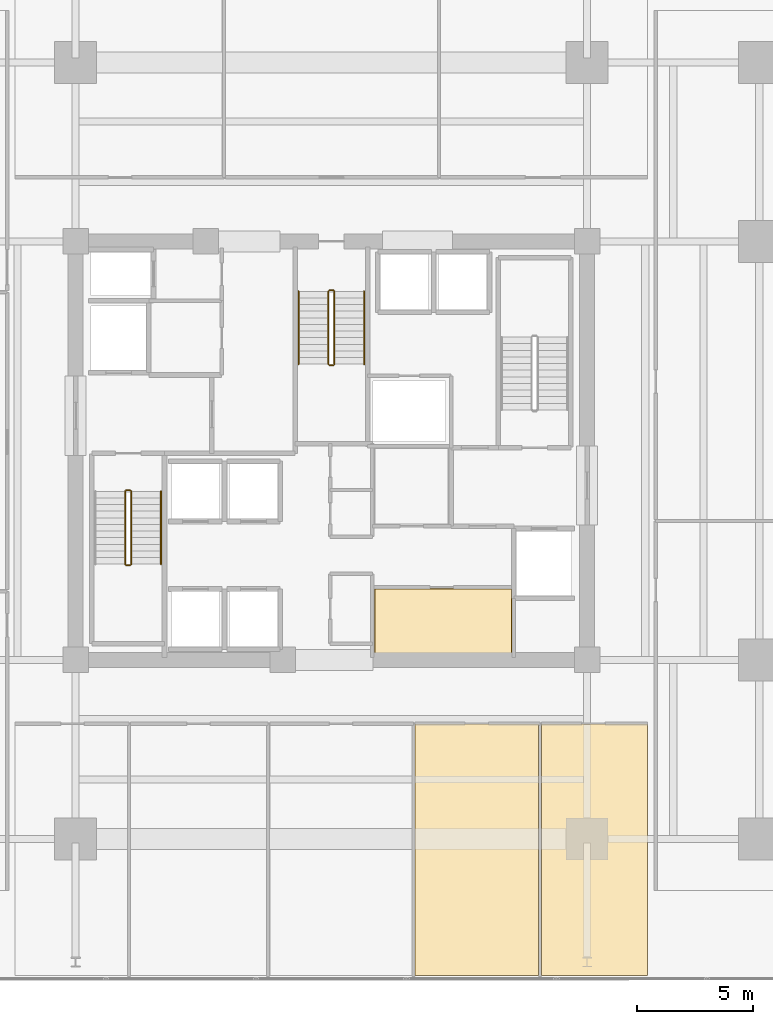
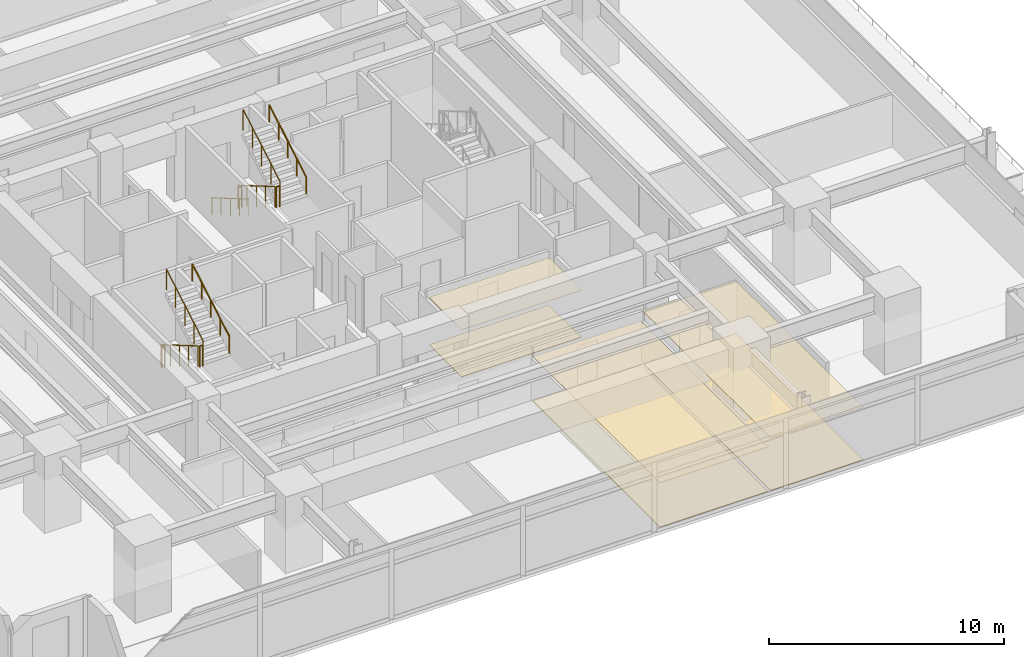
# One storey, part 21 of 23: 11 railings, 6 coverings.
"""IFC4 building model written with IfcOpenShell, lengths in metres."""

from ifc_helpers import new_model, si_unit, direction, frame, origin, origin_2d, place, context, subcontext, project, spatial, polyline, circle, outline, extrude, material, layer, layer_set, type_object, element, save


model = new_model("IFC4")

# Units and contexts
model_context = context("Model", 3, precision=1e-05, world=origin(), true_north=direction((0.0, 1.0)))
body_context = subcontext(model_context, "Body", "Model", "MODEL_VIEW")
ifc_project = project(units=[si_unit("LENGTHUNIT", "METRE"), si_unit("AREAUNIT", "SQUARE_METRE"), si_unit("VOLUMEUNIT", "CUBIC_METRE"), si_unit("PLANEANGLEUNIT", "RADIAN"), si_unit("MASSUNIT", "GRAM", prefix="KILO")], contexts=[model_context])

# Site, building, storey
site_placement = place(None, origin())
site = spatial("IfcSite", under=ifc_project, at=site_placement, CompositionType="ELEMENT")
building_placement = place(site_placement, origin())
building = spatial("IfcBuilding", under=site, at=building_placement, Name="Kovane Verandah Tower", CompositionType="ELEMENT")
storey_placement = place(building_placement, frame((0.0, 0.0, 103.60009765625)))
storey = spatial("IfcBuildingStorey", under=building, at=storey_placement, Name="L24", CompositionType="ELEMENT", Elevation=103.60009765625)

# Coverings
ifc_material_1 = material(Name="Perforated Acoustic Mineral-Fibre Ceiling Tile", Category="gypsum")
ifc_layer_1 = layer(ifc_material_1, 0.02490234375)
ifc_layer_set_1 = layer_set([ifc_layer_1], Name="Perforated Acoustic Mineral-Fibre Ceiling Tile")
covering_type_1 = type_object("IfcCoveringType", Name="CV-CEIL-25", PredefinedType="CEILING", material=ifc_layer_set_1)
covering_1_placement = place(storey_placement, frame((0.0, 0.0, 2.454833984375)))
element("IfcCovering", 1, at=covering_1_placement, inside=storey, type_object=covering_type_1, Name="L24 Records Vault Room Acoustic Ceiling", PredefinedType="CEILING", context=body_context, shape_type="SweptSolid", body=[
    extrude(outline(polyline([(41.864990234375, 18.784912109375), (47.764892578125, 18.784912109375), (47.764892578125, 21.56494140625), (41.864990234375, 21.56494140625), (41.864990234375, 18.784912109375)])), origin(), (0.0, 0.0, 1.0), 0.025146484375),
])
covering_2_placement = place(storey_placement, frame((0.0, 0.0, 2.304931640625)))
element("IfcCovering", 2, at=covering_2_placement, inside=storey, type_object=covering_type_1, Name="L24 Collaboration Hub S4 Acoustic Ceiling", PredefinedType="CEILING", context=body_context, shape_type="SweptSolid", body=[
    extrude(outline(polyline([(43.60595703125, 4.930908203125), (48.906005859375, 4.930908203125), (48.906005859375, 15.75), (43.60595703125, 15.75), (43.60595703125, 4.930908203125)])), origin(), (0.0, 0.0, 1.0), 0.02490234375),
])
covering_3_placement = place(storey_placement, frame((0.0, 0.0, 2.728271484375)))
element("IfcCovering", 3, at=covering_3_placement, inside=storey, type_object=covering_type_1, Name="L24 Document and Print Room S5 Acoustic Ceiling", PredefinedType="CEILING", context=body_context, shape_type="SweptSolid", body=[
    extrude(outline(polyline([(49.0458984375, 4.930908203125), (53.60009765625, 4.930908203125), (53.60009765625, 15.75), (49.0458984375, 15.75), (49.0458984375, 4.930908203125)])), origin(), (0.0, 0.0, 1.0), 0.025146484375),
])
ifc_material_2 = material(Name="Polished Terrazzo and Raised-Access Carpet Tile Finish", Category="concrete")
ifc_layer_2 = layer(ifc_material_2, 0.030029296875)
ifc_layer_set_2 = layer_set([ifc_layer_2], Name="Polished Terrazzo and Raised-Access Carpet Tile Finish")
covering_type_2 = type_object("IfcCoveringType", Name="CV-FLOR-30", PredefinedType="FLOORING", material=ifc_layer_set_2)
covering_4_placement = place(storey_placement, origin())
element("IfcCovering", 4, at=covering_4_placement, inside=storey, type_object=covering_type_2, Name="L24 Records Vault Room Floor Finish", PredefinedType="FLOORING", context=body_context, shape_type="SweptSolid", body=[
    extrude(outline(polyline([(41.8798828125, 18.800048828125), (47.75, 18.800048828125), (47.75, 21.550048828125), (41.8798828125, 21.550048828125), (41.8798828125, 18.800048828125)])), origin(), (0.0, 0.0, 1.0), 0.02978515625),
])
covering_5_placement = place(storey_placement, origin())
element("IfcCovering", 5, at=covering_5_placement, inside=storey, type_object=covering_type_2, Name="L24 Collaboration Hub S4 Floor Finish", PredefinedType="FLOORING", context=body_context, shape_type="SweptSolid", body=[
    extrude(outline(polyline([(43.60595703125, 4.930908203125), (48.906005859375, 4.930908203125), (48.906005859375, 15.75), (43.60595703125, 15.75), (43.60595703125, 4.930908203125)])), origin(), (0.0, 0.0, 1.0), 0.02978515625),
])
covering_6_placement = place(storey_placement, origin())
element("IfcCovering", 6, at=covering_6_placement, inside=storey, type_object=covering_type_2, Name="L24 Document and Print Room S5 Floor Finish", PredefinedType="FLOORING", context=body_context, shape_type="SweptSolid", body=[
    extrude(outline(polyline([(49.0458984375, 4.930908203125), (53.60009765625, 4.930908203125), (53.60009765625, 15.75), (49.0458984375, 15.75), (49.0458984375, 4.930908203125)])), origin(), (0.0, 0.0, 1.0), 0.02978515625),
])

# Railings
ifc_material_3 = material(Name="Brushed Stainless Steel Handrail", Category="steel")
railing_type_1 = type_object("IfcRailingType", Name="RL-HAND-920", PredefinedType="HANDRAIL", material=ifc_material_3)
railing_1_placement = place(storey_placement, frame((32.669921875, 22.614990234375, 2.16650390625)))
element("IfcRailing", 7, at=railing_1_placement, inside=storey, type_object=railing_type_1, Name="L24 ST-01 stair handrail 2", PredefinedType="HANDRAIL", context=body_context, shape_type="SweptSolid", body=[
    extrude(circle(Radius=0.02392578125, at=origin_2d()), frame((0.0, 0.0, 0.8759765625), z_axis=(0.0, 0.863210265497, 0.504844567704), x_axis=(-1.0, 0.0, 0.0)), (0.0, 0.0, 1.0), 3.6318359375),
    extrude(circle(Radius=0.02099609375, at=origin_2d()), origin(), (0.0, 0.0, 1.0), 0.851806640625),
    extrude(circle(Radius=0.02099609375, at=origin_2d()), frame((0.0, 0.78369140625, 0.45849609375)), (0.0, 0.0, 1.0), 0.851806640625),
    extrude(circle(Radius=0.02099609375, at=origin_2d()), frame((0.0, 1.5673828125, 0.916748046875)), (0.0, 0.0, 1.0), 0.851806640625),
    extrude(circle(Radius=0.02099609375, at=origin_2d()), frame((0.0, 2.351318359375, 1.375)), (0.0, 0.0, 1.0), 0.851806640625),
    extrude(circle(Radius=0.02099609375, at=origin_2d()), frame((0.0, 3.135009765625, 1.83349609375)), (0.0, 0.0, 1.0), 0.851806640625),
])
railing_2_placement = place(storey_placement, frame((38.590087890625, 34.35009765625, 0.16650390625)))
element("IfcRailing", 8, at=railing_2_placement, inside=storey, type_object=railing_type_1, Name="L24 ST-03 stair handrail 1", PredefinedType="HANDRAIL", context=body_context, shape_type="SweptSolid", body=[
    extrude(circle(Radius=0.02392578125, at=origin_2d()), frame((0.0, 0.0, 0.8759765625), z_axis=(0.0, -0.863210265497, 0.504844567704), x_axis=(1.0, 0.0, 0.0)), (0.0, 0.0, 1.0), 3.6318359375),
    extrude(circle(Radius=0.02099609375, at=origin_2d()), origin(), (0.0, 0.0, 1.0), 0.851806640625),
    extrude(circle(Radius=0.02099609375, at=origin_2d()), frame((0.0, -0.78369140625, 0.45849609375)), (0.0, 0.0, 1.0), 0.851806640625),
    extrude(circle(Radius=0.02099609375, at=origin_2d()), frame((0.0, -1.5673828125, 0.916748046875)), (0.0, 0.0, 1.0), 0.851806640625),
    extrude(circle(Radius=0.02099609375, at=origin_2d()), frame((0.0, -2.351318359375, 1.375)), (0.0, 0.0, 1.0), 0.851806640625),
    extrude(circle(Radius=0.02099609375, at=origin_2d()), frame((0.0, -3.135009765625, 1.83349609375)), (0.0, 0.0, 1.0), 0.851806640625),
])
railing_3_placement = place(storey_placement, frame((41.409912109375, 31.215087890625, 2.16650390625)))
element("IfcRailing", 9, at=railing_3_placement, inside=storey, type_object=railing_type_1, Name="L24 ST-03 stair handrail 2", PredefinedType="HANDRAIL", context=body_context, shape_type="SweptSolid", body=[
    extrude(circle(Radius=0.02392578125, at=origin_2d()), frame((0.0, 0.0, 0.8759765625), z_axis=(0.0, 0.863210265497, 0.504844567704), x_axis=(-1.0, 0.0, 0.0)), (0.0, 0.0, 1.0), 3.6318359375),
    extrude(circle(Radius=0.02099609375, at=origin_2d()), origin(), (0.0, 0.0, 1.0), 0.851806640625),
    extrude(circle(Radius=0.02099609375, at=origin_2d()), frame((0.0, 0.78369140625, 0.45849609375)), (0.0, 0.0, 1.0), 0.851806640625),
    extrude(circle(Radius=0.02099609375, at=origin_2d()), frame((0.0, 1.5673828125, 0.916748046875)), (0.0, 0.0, 1.0), 0.851806640625),
    extrude(circle(Radius=0.02099609375, at=origin_2d()), frame((0.0, 2.351318359375, 1.375)), (0.0, 0.0, 1.0), 0.851806640625),
    extrude(circle(Radius=0.02099609375, at=origin_2d()), frame((0.0, 3.135009765625, 1.83349609375)), (0.0, 0.0, 1.0), 0.851806640625),
])
ifc_material_4 = material(Name="Painted Steel Stairwell Guardrail", Category="steel")
railing_type_2 = type_object("IfcRailingType", Name="RL-STGUARD-1120", PredefinedType="GUARDRAIL", material=ifc_material_4)
railing_4_placement = place(storey_placement, frame((31.1298828125, 25.75, 0.16650390625)))
element("IfcRailing", 10, at=railing_4_placement, inside=storey, type_object=railing_type_2, Name="L24 ST-01 stair guard 1", PredefinedType="GUARDRAIL", context=body_context, shape_type="SweptSolid", body=[
    extrude(circle(Radius=0.02392578125, at=origin_2d()), frame((0.0, 0.0, 1.076171875), z_axis=(0.0, -0.863210265497, 0.504844567704), x_axis=(1.0, 0.0, 0.0)), (0.0, 0.0, 1.0), 3.6318359375),
    extrude(circle(Radius=0.02099609375, at=origin_2d()), origin(), (0.0, 0.0, 1.0), 1.052001953125),
    extrude(circle(Radius=0.02099609375, at=origin_2d()), frame((0.0, -0.78369140625, 0.45849609375)), (0.0, 0.0, 1.0), 1.052001953125),
    extrude(circle(Radius=0.02099609375, at=origin_2d()), frame((0.0, -1.5673828125, 0.916748046875)), (0.0, 0.0, 1.0), 1.052001953125),
    extrude(circle(Radius=0.02099609375, at=origin_2d()), frame((0.0, -2.351318359375, 1.375)), (0.0, 0.0, 1.0), 1.052001953125),
    extrude(circle(Radius=0.02099609375, at=origin_2d()), frame((0.0, -3.135009765625, 1.83349609375)), (0.0, 0.0, 1.0), 1.052001953125),
])
railing_5_placement = place(storey_placement, frame((31.179931640625, 22.56494140625, 2.0)))
element("IfcRailing", 11, at=railing_5_placement, inside=storey, type_object=railing_type_2, Name="L24 ST-01 stair guard 2", PredefinedType="GUARDRAIL", context=body_context, shape_type="SweptSolid", body=[
    extrude(circle(Radius=0.02392578125, at=origin_2d()), frame((0.0, 0.0, 1.076171875), z_axis=(1.0, 0.0, 0.0), x_axis=(0.0, 1.0, 0.0)), (0.0, 0.0, 1.0), 0.16015625),
    extrude(circle(Radius=0.02099609375, at=origin_2d()), origin(), (0.0, 0.0, 1.0), 1.052001953125),
    extrude(circle(Radius=0.02099609375, at=origin_2d()), frame((0.16015625, 0.0, 0.0)), (0.0, 0.0, 1.0), 1.052001953125),
])
railing_6_placement = place(storey_placement, frame((31.389892578125, 22.614990234375, 2.16650390625)))
element("IfcRailing", 12, at=railing_6_placement, inside=storey, type_object=railing_type_2, Name="L24 ST-01 stair guard 3", PredefinedType="GUARDRAIL", context=body_context, shape_type="SweptSolid", body=[
    extrude(circle(Radius=0.02392578125, at=origin_2d()), frame((0.0, 0.0, 1.076171875), z_axis=(0.0, 0.863210265497, 0.504844567704), x_axis=(-1.0, 0.0, 0.0)), (0.0, 0.0, 1.0), 3.6318359375),
    extrude(circle(Radius=0.02099609375, at=origin_2d()), origin(), (0.0, 0.0, 1.0), 1.052001953125),
    extrude(circle(Radius=0.02099609375, at=origin_2d()), frame((0.0, 0.78369140625, 0.45849609375)), (0.0, 0.0, 1.0), 1.052001953125),
    extrude(circle(Radius=0.02099609375, at=origin_2d()), frame((0.0, 1.5673828125, 0.916748046875)), (0.0, 0.0, 1.0), 1.052001953125),
    extrude(circle(Radius=0.02099609375, at=origin_2d()), frame((0.0, 2.351318359375, 1.375)), (0.0, 0.0, 1.0), 1.052001953125),
    extrude(circle(Radius=0.02099609375, at=origin_2d()), frame((0.0, 3.135009765625, 1.83349609375)), (0.0, 0.0, 1.0), 1.052001953125),
])
railing_7_placement = place(storey_placement, frame((31.179931640625, 25.800048828125, 0.0)))
element("IfcRailing", 13, at=railing_7_placement, inside=storey, type_object=railing_type_2, Name="L24 ST-01 stair guard 4", PredefinedType="GUARDRAIL", context=body_context, shape_type="SweptSolid", body=[
    extrude(circle(Radius=0.02392578125, at=origin_2d()), frame((0.0, 0.0, 1.076171875), z_axis=(1.0, 0.0, 0.0), x_axis=(0.0, 1.0, 0.0)), (0.0, 0.0, 1.0), 0.16015625),
    extrude(circle(Radius=0.02099609375, at=origin_2d()), origin(), (0.0, 0.0, 1.0), 1.052001953125),
    extrude(circle(Radius=0.02099609375, at=origin_2d()), frame((0.16015625, 0.0, 0.0)), (0.0, 0.0, 1.0), 1.052001953125),
])
railing_8_placement = place(storey_placement, frame((39.8701171875, 34.35009765625, 0.16650390625)))
element("IfcRailing", 14, at=railing_8_placement, inside=storey, type_object=railing_type_2, Name="L24 ST-03 stair guard 1", PredefinedType="GUARDRAIL", context=body_context, shape_type="SweptSolid", body=[
    extrude(circle(Radius=0.02392578125, at=origin_2d()), frame((0.0, 0.0, 1.076171875), z_axis=(0.0, -0.863210265497, 0.504844567704), x_axis=(1.0, 0.0, 0.0)), (0.0, 0.0, 1.0), 3.6318359375),
    extrude(circle(Radius=0.02099609375, at=origin_2d()), origin(), (0.0, 0.0, 1.0), 1.052001953125),
    extrude(circle(Radius=0.02099609375, at=origin_2d()), frame((0.0, -0.78369140625, 0.45849609375)), (0.0, 0.0, 1.0), 1.052001953125),
    extrude(circle(Radius=0.02099609375, at=origin_2d()), frame((0.0, -1.5673828125, 0.916748046875)), (0.0, 0.0, 1.0), 1.052001953125),
    extrude(circle(Radius=0.02099609375, at=origin_2d()), frame((0.0, -2.351318359375, 1.375)), (0.0, 0.0, 1.0), 1.052001953125),
    extrude(circle(Radius=0.02099609375, at=origin_2d()), frame((0.0, -3.135009765625, 1.83349609375)), (0.0, 0.0, 1.0), 1.052001953125),
])
railing_9_placement = place(storey_placement, frame((39.919921875, 31.1650390625, 2.0)))
element("IfcRailing", 15, at=railing_9_placement, inside=storey, type_object=railing_type_2, Name="L24 ST-03 stair guard 2", PredefinedType="GUARDRAIL", context=body_context, shape_type="SweptSolid", body=[
    extrude(circle(Radius=0.02392578125, at=origin_2d()), frame((0.0, 0.0, 1.076171875), z_axis=(1.0, 0.0, 0.0), x_axis=(0.0, 1.0, 0.0)), (0.0, 0.0, 1.0), 0.16015625),
    extrude(circle(Radius=0.02099609375, at=origin_2d()), origin(), (0.0, 0.0, 1.0), 1.052001953125),
    extrude(circle(Radius=0.02099609375, at=origin_2d()), frame((0.16015625, 0.0, 0.0)), (0.0, 0.0, 1.0), 1.052001953125),
])
railing_10_placement = place(storey_placement, frame((40.1298828125, 31.215087890625, 2.16650390625)))
element("IfcRailing", 16, at=railing_10_placement, inside=storey, type_object=railing_type_2, Name="L24 ST-03 stair guard 3", PredefinedType="GUARDRAIL", context=body_context, shape_type="SweptSolid", body=[
    extrude(circle(Radius=0.02392578125, at=origin_2d()), frame((0.0, 0.0, 1.076171875), z_axis=(0.0, 0.863210265497, 0.504844567704), x_axis=(-1.0, 0.0, 0.0)), (0.0, 0.0, 1.0), 3.6318359375),
    extrude(circle(Radius=0.02099609375, at=origin_2d()), origin(), (0.0, 0.0, 1.0), 1.052001953125),
    extrude(circle(Radius=0.02099609375, at=origin_2d()), frame((0.0, 0.78369140625, 0.45849609375)), (0.0, 0.0, 1.0), 1.052001953125),
    extrude(circle(Radius=0.02099609375, at=origin_2d()), frame((0.0, 1.5673828125, 0.916748046875)), (0.0, 0.0, 1.0), 1.052001953125),
    extrude(circle(Radius=0.02099609375, at=origin_2d()), frame((0.0, 2.351318359375, 1.375)), (0.0, 0.0, 1.0), 1.052001953125),
    extrude(circle(Radius=0.02099609375, at=origin_2d()), frame((0.0, 3.135009765625, 1.83349609375)), (0.0, 0.0, 1.0), 1.052001953125),
])
railing_11_placement = place(storey_placement, frame((39.919921875, 34.39990234375, 0.0)))
element("IfcRailing", 17, at=railing_11_placement, inside=storey, type_object=railing_type_2, Name="L24 ST-03 stair guard 4", PredefinedType="GUARDRAIL", context=body_context, shape_type="SweptSolid", body=[
    extrude(circle(Radius=0.02392578125, at=origin_2d()), frame((0.0, 0.0, 1.076171875), z_axis=(1.0, 0.0, 0.0), x_axis=(0.0, 1.0, 0.0)), (0.0, 0.0, 1.0), 0.16015625),
    extrude(circle(Radius=0.02099609375, at=origin_2d()), origin(), (0.0, 0.0, 1.0), 1.052001953125),
    extrude(circle(Radius=0.02099609375, at=origin_2d()), frame((0.16015625, 0.0, 0.0)), (0.0, 0.0, 1.0), 1.052001953125),
])

save(model, "model.ifc")
